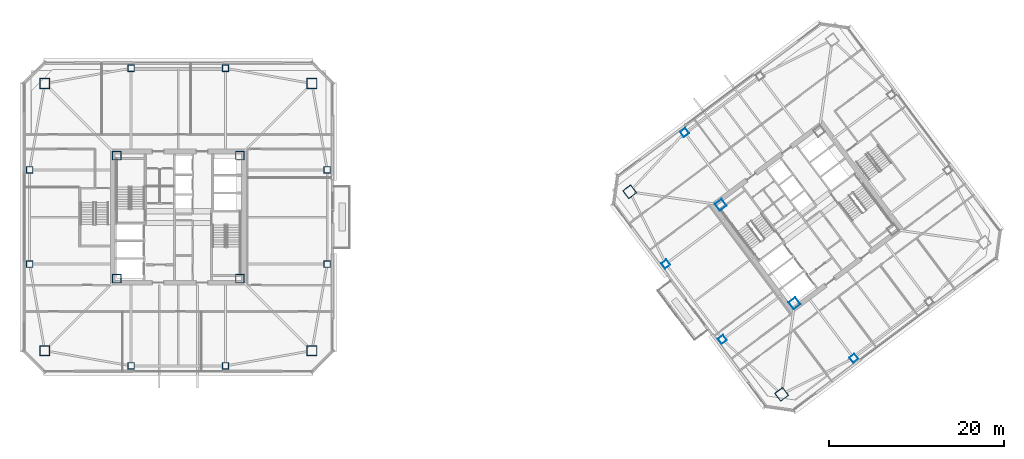
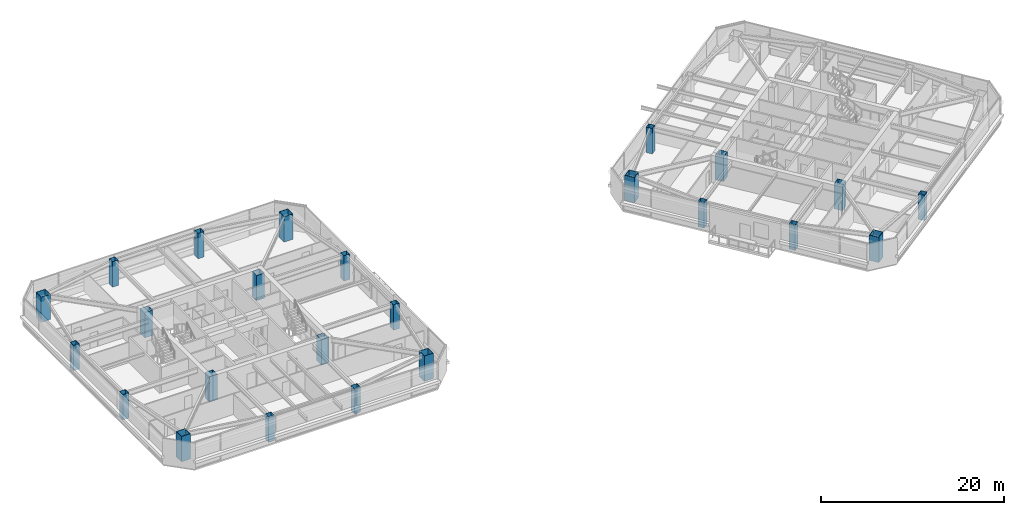
# One storey, part 1 of 41: 24 columns.
"""IFC4 building model written with IfcOpenShell, lengths in metres."""

from ifc_helpers import new_model, si_unit, direction, frame, origin, origin_2d, place, context, subcontext, project, spatial, hollow_rectangle, extrude, material, material_profile, profile_set, type_object, element, save


model = new_model("IFC4")

# Units and contexts
model_context = context("Model", 3, precision=1e-05, world=origin(), true_north=direction((0.0, 1.0)))
body_context = subcontext(model_context, "Body", "Model", "MODEL_VIEW")
ifc_project = project(units=[si_unit("LENGTHUNIT", "METRE"), si_unit("AREAUNIT", "SQUARE_METRE"), si_unit("VOLUMEUNIT", "CUBIC_METRE"), si_unit("PLANEANGLEUNIT", "RADIAN"), si_unit("MASSUNIT", "GRAM", prefix="KILO")], contexts=[model_context])

# Site, building, storey
site_placement = place(None, origin())
site = spatial("IfcSite", under=ifc_project, at=site_placement, CompositionType="ELEMENT")
building_placement = place(site_placement, origin())
building = spatial("IfcBuilding", under=site, at=building_placement, Name="Tashvorn Skyway Center", CompositionType="ELEMENT")
storey_placement = place(building_placement, frame((0.0, 0.0, 174.75)))
storey = spatial("IfcBuildingStorey", under=building, at=storey_placement, Name="L47", CompositionType="ELEMENT", Elevation=174.75)

# Columns
ifc_material = material(Name="Steel ASTM A572 Grade 50", Category="steel")
ifc_material_profile_1 = material_profile(ifc_material, hollow_rectangle(XDim=1.0, YDim=1.0, WallThickness=0.0400390625, at=origin_2d()), Name="BOX1000x1000x40")
ifc_profile_set_1 = profile_set([ifc_material_profile_1], Name="Steel ASTM A572 Grade 50")
column_type_1 = type_object("IfcColumnType", Name="COL-BOX1000x1000x40", PredefinedType="COLUMN", material=ifc_profile_set_1)
for number, where, z_axis, x_axis, name in (
    (1, (34.949951171875, 24.949951171875, 0.0), (0.0, 0.0, 1.0), (1.0, 0.0, 0.0), "Tower 1 L47 Core Corner Column CC-SW"),
    (2, (49.050048828125, 24.949951171875, 0.0), (0.0, 0.0, 1.0), (1.0, 0.0, 0.0), "Tower 1 L47 Core Corner Column CC-SE"),
    (3, (49.050048828125, 39.050048828125, 0.0), (0.0, 0.0, 1.0), (1.0, 0.0, 0.0), "Tower 1 L47 Core Corner Column CC-NE"),
    (4, (34.949951171875, 39.050048828125, 0.0), (0.0, 0.0, 1.0), (1.0, 0.0, 0.0), "Tower 1 L47 Core Corner Column CC-NW"),
    (5, (112.590087890625, 22.1298828125, 0.0), (0.0, 0.0, 1.0), (0.799999996291, 0.600000004945, 0.0), "Tower 2 L47 Core Corner Column CC-SW"),
    (6, (104.1298828125, 33.409912109375, 0.0), (0.0, 0.0, 1.0), (0.799999996291, 0.600000004945, 0.0), "Tower 2 L47 Core Corner Column CC-NW"),
):
    element("IfcColumn", number, at=place(storey_placement, frame(where, z_axis=z_axis, x_axis=x_axis)), inside=storey, type_object=column_type_1, Name=name, PredefinedType="COLUMN", context=body_context, shape_type="SweptSolid", body=[
        extrude(hollow_rectangle(XDim=1.0, YDim=1.0, WallThickness=0.0400390625, at=origin_2d()), origin(), (0.0, 0.0, 1.0), 3.3701171875),
    ])
ifc_material_profile_2 = material_profile(ifc_material, hollow_rectangle(XDim=1.14990234375, YDim=1.14990234375, WallThickness=0.044921875, at=origin_2d()), Name="BOX1150x1150x45")
ifc_profile_set_2 = profile_set([ifc_material_profile_2], Name="Steel ASTM A572 Grade 50")
column_type_2 = type_object("IfcColumnType", Name="COL-BOX1150x1150x45", PredefinedType="COLUMN", material=ifc_profile_set_2)
for number, where, z_axis, x_axis, name in (
    (7, (26.699951171875, 16.699951171875, 0.0), (0.0, 0.0, 1.0), (1.0, 0.0, 0.0), "Tower 1 L47 Mega-Column MC-SW"),
    (8, (57.300048828125, 16.699951171875, 0.0), (0.0, 0.0, 1.0), (1.0, 0.0, 0.0), "Tower 1 L47 Mega-Column MC-SE"),
    (9, (57.300048828125, 47.300048828125, 0.0), (0.0, 0.0, 1.0), (1.0, 0.0, 0.0), "Tower 1 L47 Mega-Column MC-NE"),
    (10, (26.699951171875, 47.300048828125, 0.0), (0.0, 0.0, 1.0), (1.0, 0.0, 0.0), "Tower 1 L47 Mega-Column MC-NW"),
    (11, (111.10009765625, 11.699951171875, 0.0), (0.0, 0.0, 1.0), (0.799999996291, 0.600000004945, 0.0), "Tower 2 L47 Mega-Column MC-SW"),
    (12, (93.699951171875, 34.89990234375, 0.0), (0.0, 0.0, 1.0), (0.799999996291, 0.600000004945, 0.0), "Tower 2 L47 Mega-Column MC-NW"),
):
    element("IfcColumn", number, at=place(storey_placement, frame(where, z_axis=z_axis, x_axis=x_axis)), inside=storey, type_object=column_type_2, Name=name, PredefinedType="COLUMN", context=body_context, shape_type="SweptSolid", body=[
        extrude(hollow_rectangle(XDim=1.14990234375, YDim=1.14990234375, WallThickness=0.044921875, at=origin_2d()), origin(), (0.0, 0.0, 1.0), 3.3701171875),
    ])
ifc_material_profile_3 = material_profile(ifc_material, hollow_rectangle(XDim=0.75, YDim=0.75, WallThickness=0.031982421875, at=origin_2d()), Name="BOX750x750x32")
ifc_profile_set_3 = profile_set([ifc_material_profile_3], Name="Steel ASTM A572 Grade 50")
column_type_3 = type_object("IfcColumnType", Name="COL-BOX750x750x32", PredefinedType="COLUMN", material=ifc_profile_set_3)
for number, where, z_axis, x_axis, name in (
    (13, (36.60009765625, 14.949951171875, 0.0), (0.0, 0.0, 1.0), (1.0, 0.0, 0.0), "Tower 1 L47 Perimeter Column FC-S1"),
    (14, (47.39990234375, 14.949951171875, 0.0), (0.0, 0.0, 1.0), (1.0, 0.0, 0.0), "Tower 1 L47 Perimeter Column FC-S2"),
    (15, (59.050048828125, 26.60009765625, 0.0), (0.0, 0.0, 1.0), (1.0, 0.0, 0.0), "Tower 1 L47 Perimeter Column FC-E1"),
    (16, (59.050048828125, 37.39990234375, 0.0), (0.0, 0.0, 1.0), (1.0, 0.0, 0.0), "Tower 1 L47 Perimeter Column FC-E2"),
    (17, (47.39990234375, 49.050048828125, 0.0), (0.0, 0.0, 1.0), (1.0, 0.0, 0.0), "Tower 1 L47 Perimeter Column FC-N1"),
    (18, (36.60009765625, 49.050048828125, 0.0), (0.0, 0.0, 1.0), (1.0, 0.0, 0.0), "Tower 1 L47 Perimeter Column FC-N2"),
    (19, (24.949951171875, 37.39990234375, 0.0), (0.0, 0.0, 1.0), (1.0, 0.0, 0.0), "Tower 1 L47 Perimeter Column FC-W1"),
    (20, (24.949951171875, 26.60009765625, 0.0), (0.0, 0.0, 1.0), (1.0, 0.0, 0.0), "Tower 1 L47 Perimeter Column FC-W2"),
    (21, (119.3701171875, 15.840087890625, 0.0), (0.0, 0.0, 1.0), (0.799999996291, 0.600000004945, 0.0), "Tower 2 L47 Perimeter Column FC-S1"),
    (22, (99.989990234375, 41.679931640625, 0.0), (0.0, 0.0, 1.0), (0.799999996291, 0.600000004945, 0.0), "Tower 2 L47 Perimeter Column FC-N2"),
    (23, (97.840087890625, 26.6298828125, 0.0), (0.0, 0.0, 1.0), (0.799999996291, 0.600000004945, 0.0), "Tower 2 L47 Perimeter Column FC-W1"),
    (24, (104.320068359375, 17.989990234375, 0.0), (0.0, 0.0, 1.0), (0.799999996291, 0.600000004945, 0.0), "Tower 2 L47 Perimeter Column FC-W2"),
):
    element("IfcColumn", number, at=place(storey_placement, frame(where, z_axis=z_axis, x_axis=x_axis)), inside=storey, type_object=column_type_3, Name=name, PredefinedType="COLUMN", context=body_context, shape_type="SweptSolid", body=[
        extrude(hollow_rectangle(XDim=0.75, YDim=0.75, WallThickness=0.031982421875, at=origin_2d()), origin(), (0.0, 0.0, 1.0), 3.3701171875),
    ])

save(model, "model.ifc")
